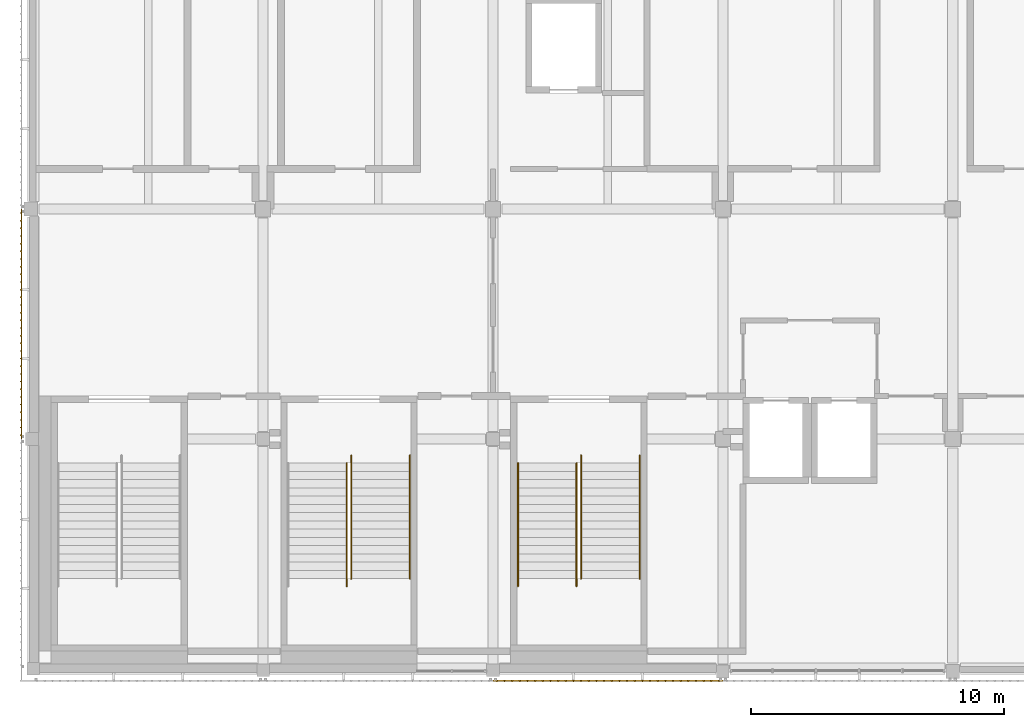
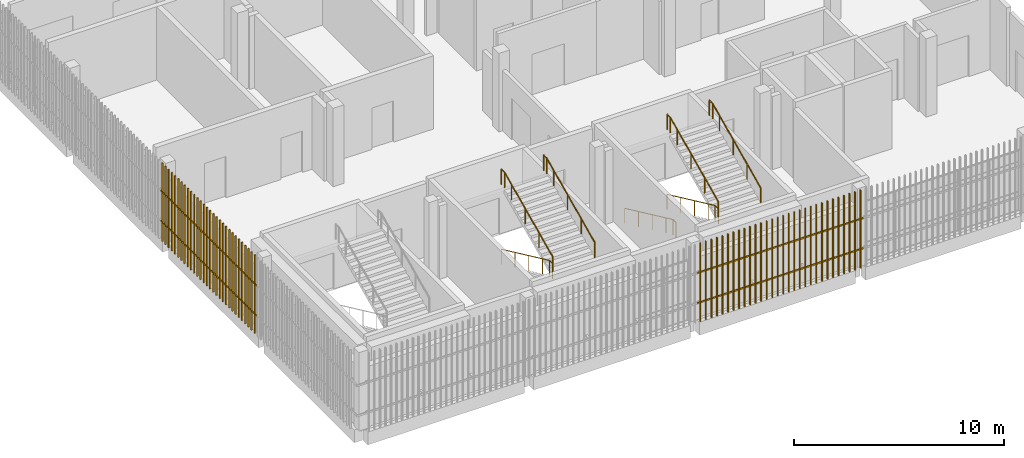
# One storey, part 104 of 124: 7 railings, 2 shading devices.
"""IFC4 building model written with IfcOpenShell, lengths in metres."""

import ifcopenshell
import ifcopenshell.guid

model = None  # the IFC model being written
_history = None  # IfcOwnerHistory: only IFC2X3 demands one
_inside = {}  # id of a spatial element -> (the spatial element, [elements in it])
_under = {}  # id of a project, library or spatial element -> (it, [spatial elements below it])
_declared = {}  # id of a project -> (the project, [libraries it declares])
_typed = {}  # id of a type object -> (the type object, [elements of that type])
_made_of = {}  # id of a material, layer set ... -> (it, [elements and type objects made of it])


def new_model(schema):
    """Start an empty IFC model of exactly this schema.

    Asked for "IFC4X3", IfcOpenShell would pick the latest addendum, in which some entities
    have other attributes; the version numbers below select the first issue.
    IFC2X3 requires an IfcOwnerHistory on every rooted entity: one is made here for all.
    """
    global model, _history
    if schema == "IFC4X3":
        model = ifcopenshell.file(schema_version=(4, 3, 0, 0))
    else:
        model = ifcopenshell.file(schema=schema)
    _inside.clear()
    _under.clear()
    _declared.clear()
    _typed.clear()
    _made_of.clear()
    _history = None
    if model.schema == "IFC2X3":
        org = make("IfcOrganization", Name="unknown")
        user = make(
            "IfcPersonAndOrganization",
            ThePerson=make("IfcPerson", FamilyName="unknown"),
            TheOrganization=org,
        )
        app = make(
            "IfcApplication",
            ApplicationDeveloper=org,
            Version="unknown",
            ApplicationFullName="unknown",
            ApplicationIdentifier="unknown",
        )
        _history = make(
            "IfcOwnerHistory",
            OwningUser=user,
            OwningApplication=app,
            ChangeAction="ADDED",
            CreationDate=0,
        )
    return model


def make(cls, **values):
    """One entity of the class cls with the attributes given. An attribute that is None is left unset."""
    return model.create_entity(
        cls, **{name: value for name, value in values.items() if value is not None}
    )


def rooted(cls, **values):
    """An entity with a GlobalId (a new one), such as an element, a storey or a relation."""
    return make(cls, GlobalId=ifcopenshell.guid.new(), OwnerHistory=_history, **values)


def si_unit(unit_type, name, prefix=None):
    """IfcSIUnit, for example si_unit("LENGTHUNIT", "METRE", prefix="MILLI")."""
    return make("IfcSIUnit", UnitType=unit_type, Prefix=prefix, Name=name)


def assignment(units):
    """IfcUnitAssignment: the units of a project."""
    return None if units is None else make("IfcUnitAssignment", Units=units)


def point(xyz):
    """IfcCartesianPoint."""
    return None if xyz is None else make("IfcCartesianPoint", Coordinates=xyz)


def direction(xyz):
    """IfcDirection."""
    return None if xyz is None else make("IfcDirection", DirectionRatios=xyz)


def frame(location, z_axis=None, x_axis=None):
    """IfcAxis2Placement3D, a coordinate frame: its origin and axes. An axis left out is left unset."""
    return make(
        "IfcAxis2Placement3D",
        Location=point(location),
        Axis=direction(z_axis),
        RefDirection=direction(x_axis),
    )


def frame_2d(location, x_axis=None):
    """IfcAxis2Placement2D, a coordinate frame in the plane: its origin and x axis."""
    return make(
        "IfcAxis2Placement2D", Location=point(location), RefDirection=direction(x_axis)
    )


def origin():
    """The frame at (0, 0, 0) with its axes left unset."""
    return frame((0.0, 0.0, 0.0))


def origin_2d():
    """The frame at (0, 0) in the plane with its x axis left unset."""
    return frame_2d((0.0, 0.0))


def place(relative_to, where):
    """IfcLocalPlacement: puts the frame where relative to a parent placement (None: the world)."""
    return make(
        "IfcLocalPlacement", PlacementRelTo=relative_to, RelativePlacement=where
    )


def context(
    kind, dimensions, precision=None, world=None, true_north=None, identifier=None
):
    """IfcGeometricRepresentationContext, for example the 3D "Model" context."""
    return make(
        "IfcGeometricRepresentationContext",
        ContextIdentifier=identifier,
        ContextType=kind,
        CoordinateSpaceDimension=dimensions,
        Precision=precision,
        WorldCoordinateSystem=world,
        TrueNorth=true_north,
    )


def subcontext(parent, identifier, kind, view, scale=None):
    """IfcGeometricRepresentationSubContext, for example "Body" below "Model"."""
    return make(
        "IfcGeometricRepresentationSubContext",
        ContextIdentifier=identifier,
        ContextType=kind,
        ParentContext=parent,
        TargetScale=scale,
        TargetView=view,
    )


def project(units=None, contexts=None):
    """IfcProject with its units and contexts."""
    return rooted(
        "IfcProject",
        Name="project",
        RepresentationContexts=contexts,
        UnitsInContext=assignment(units),
    )


def spatial(cls, under=None, at=None, **own):
    """A site, building, storey or space (cls), placed at a placement, below another one or the project."""
    s = rooted(cls, ObjectPlacement=at, **own)
    if under is not None:
        _under.setdefault(under.id(), (under, []))[1].append(s)
    return s


def profile(cls, at=None, kind="AREA", **sizes):
    """A parametric profile (cls). Its sizes go by their IFC names, for example OverallWidth=200.0."""
    return make(cls, ProfileType=kind, Position=at, **sizes)


def rectangle(**sizes):
    """IfcRectangleProfileDef."""
    return profile("IfcRectangleProfileDef", **sizes)


def circle(**sizes):
    """IfcCircleProfileDef."""
    return profile("IfcCircleProfileDef", **sizes)


def extrude(swept, where, along, depth):
    """IfcExtrudedAreaSolid: the profile swept, set in the frame where, extruded along a direction by depth."""
    return make(
        "IfcExtrudedAreaSolid",
        SweptArea=swept,
        Position=where,
        ExtrudedDirection=direction(along),
        Depth=depth,
    )


def shape(context_of_items, identifier, shape_type, items):
    """IfcShapeRepresentation: the items that make up one representation, for example the "Body"."""
    return make(
        "IfcShapeRepresentation",
        ContextOfItems=context_of_items,
        RepresentationIdentifier=identifier,
        RepresentationType=shape_type,
        Items=items,
    )


def material(Name=None, Category=None):
    """IfcMaterial."""
    return make("IfcMaterial", Name=Name, Category=Category)


def made_of(thing, what):
    """Note that an element or type object is made of a material, layer set ...; save() writes the relation."""
    if what is not None:
        _made_of.setdefault(what.id(), (what, []))[1].append(thing)
    return thing


def type_object(cls, material=None, **own):
    """A type object (cls), such as IfcWallType, which elements share."""
    return made_of(rooted(cls, **own), material)


def element(
    cls,
    number,
    at=None,
    inside=None,
    cuts=None,
    type_object=None,
    material=None,
    context=None,
    identifier="Body",
    shape_type=None,
    held_by="IfcProductDefinitionShape",
    body=None,
    shapes=None,
    **own,
):
    """One element of the class cls, such as IfcWall. Its Tag is "e" and its number.

    at: its placement. inside: the storey or other place that contains it. cuts: it is an
    opening in that element (IfcRelVoidsElement). A single representation is given by context,
    identifier, shape_type and body (its items); several are given by shapes. held_by: the class
    of the entity that holds the representations. save() writes the other relations.
    """
    e = rooted(cls, Tag="e%d" % number, ObjectPlacement=at, **own)
    if body is not None:
        shapes = [shape(context, identifier, shape_type, body)]
    if shapes is not None:
        e.Representation = make(held_by, Representations=shapes)
    if inside is not None:
        _inside.setdefault(inside.id(), (inside, []))[1].append(e)
    if cuts is not None:
        rooted(
            "IfcRelVoidsElement", RelatingBuildingElement=cuts, RelatedOpeningElement=e
        )
    if type_object is not None:
        _typed.setdefault(type_object.id(), (type_object, []))[1].append(e)
    return made_of(e, material)


def aggregate(whole, parts):
    """IfcRelAggregates: a whole, such as a stair, and the parts it consists of."""
    return rooted("IfcRelAggregates", RelatingObject=whole, RelatedObjects=parts)


def save(model, path):
    """Write the relations noted so far, then the file.

    IfcRelAggregates (storeys below a building ...), IfcRelContainedInSpatialStructure (elements
    in a storey), IfcRelDefinesByType, IfcRelAssociatesMaterial and IfcRelDeclares: one each for
    every whole, place, type object, material and project.
    """
    for whole, parts in _under.values():
        aggregate(whole, parts)
    for where, things in _inside.values():
        rooted(
            "IfcRelContainedInSpatialStructure",
            RelatedElements=things,
            RelatingStructure=where,
        )
    for kind, things in _typed.values():
        rooted("IfcRelDefinesByType", RelatedObjects=things, RelatingType=kind)
    for what, things in _made_of.values():
        rooted("IfcRelAssociatesMaterial", RelatedObjects=things, RelatingMaterial=what)
    for by, libraries in _declared.values():
        rooted("IfcRelDeclares", RelatingContext=by, RelatedDefinitions=libraries)
    model.write(path)


model = new_model("IFC4")

# Units and contexts
model_context = context("Model", 3, precision=1e-05, world=origin(), true_north=direction((0.0, 1.0)))
body_context = subcontext(model_context, "Body", "Model", "MODEL_VIEW")
ifc_project = project(units=[si_unit("LENGTHUNIT", "METRE"), si_unit("AREAUNIT", "SQUARE_METRE"), si_unit("VOLUMEUNIT", "CUBIC_METRE"), si_unit("PLANEANGLEUNIT", "RADIAN"), si_unit("MASSUNIT", "GRAM", prefix="KILO")], contexts=[model_context])

# Site, building, storey
site_placement = place(None, origin())
site = spatial("IfcSite", under=ifc_project, at=site_placement, CompositionType="ELEMENT")
building_placement = place(site_placement, origin())
building = spatial("IfcBuilding", under=site, at=building_placement, Name="Shirokan Park Arena", CompositionType="ELEMENT")
storey_placement = place(building_placement, frame((0.0, 0.0, 20.02001953125)))
storey = spatial("IfcBuildingStorey", under=building, at=storey_placement, Name="L04", CompositionType="ELEMENT", Elevation=20.02001953125)

# Railings
ifc_material_1 = material(Name="Stainless steel", Category="steel")
railing_type = type_object("IfcRailingType", Name="Stair handrail 900", PredefinedType="HANDRAIL", material=ifc_material_1)
railing_1_placement = place(storey_placement, frame((12.409912109375, 8.14990234375, 0.151611328125)))
element("IfcRailing", 1, at=railing_1_placement, inside=storey, type_object=railing_type, Name="Handrail Exit Stair 1.B L04 to L05", PredefinedType="HANDRAIL", context=body_context, shape_type="SweptSolid", body=[
    extrude(circle(Radius=0.02392578125, at=origin_2d()), frame((0.0, 0.0, 0.8759765625), z_axis=(0.0, -0.906999720516, 0.421131222998), x_axis=(1.0, 0.0, 0.0)), (0.0, 0.0, 1.0), 1.440673828125),
    extrude(circle(Radius=0.02392578125, at=origin_2d()), frame((0.0, -1.306640625, 1.482421875), z_axis=(0.0, -0.907029769225, 0.421066500378), x_axis=(1.0, 0.0, 0.0)), (0.0, 0.0, 1.0), 1.44091796875),
    extrude(circle(Radius=0.02392578125, at=origin_2d()), frame((0.0, -2.613525390625, 2.08935546875), z_axis=(0.0, -0.907029769225, 0.421066500378), x_axis=(1.0, 0.0, 0.0)), (0.0, 0.0, 1.0), 1.44091796875),
    extrude(circle(Radius=0.02392578125, at=origin_2d()), frame((0.0, -3.92041015625, 2.69580078125), z_axis=(0.0, -0.907064445915, 0.420991794405), x_axis=(1.0, 0.0, 0.0)), (0.0, 0.0, 1.0), 0.72021484375),
    extrude(circle(Radius=0.02392578125, at=origin_2d()), frame((0.0, -4.57373046875, 2.9990234375), z_axis=(0.0, -1.0, 0.0), x_axis=(1.0, 0.0, 0.0)), (0.0, 0.0, 1.0), 0.300048828125),
    extrude(circle(Radius=0.02099609375, at=origin_2d()), origin(), (0.0, 0.0, 1.0), 0.851806640625),
    extrude(circle(Radius=0.02099609375, at=origin_2d()), frame((0.0, -1.306640625, 0.606689453125)), (0.0, 0.0, 1.0), 0.851806640625),
    extrude(circle(Radius=0.02099609375, at=origin_2d()), frame((0.0, -2.613525390625, 1.21337890625)), (0.0, 0.0, 1.0), 0.851806640625),
    extrude(circle(Radius=0.02099609375, at=origin_2d()), frame((0.0, -3.92041015625, 1.820068359375)), (0.0, 0.0, 1.0), 0.851806640625),
    extrude(circle(Radius=0.02099609375, at=origin_2d()), frame((0.0, -4.57373046875, 2.123291015625)), (0.0, 0.0, 1.0), 0.851806640625),
    extrude(circle(Radius=0.02099609375, at=origin_2d()), frame((0.0, -4.873779296875, 2.123291015625)), (0.0, 0.0, 1.0), 0.851806640625),
])
railing_2_placement = place(storey_placement, frame((12.590087890625, 3.576171875, 2.4267578125)))
element("IfcRailing", 2, at=railing_2_placement, inside=storey, type_object=railing_type, Name="Handrail Exit Stair 1.B L04 to L05", PredefinedType="HANDRAIL", context=body_context, shape_type="SweptSolid", body=[
    extrude(circle(Radius=0.02392578125, at=origin_2d()), frame((0.0, 0.0, 0.8759765625), z_axis=(0.0, 0.907094476872, 0.420927083981), x_axis=(-1.0, 0.0, 0.0)), (0.0, 0.0, 1.0), 1.440673828125),
    extrude(circle(Radius=0.02392578125, at=origin_2d()), frame((0.0, 1.306884765625, 1.482421875), z_axis=(0.0, 0.906999720516, 0.421131222998), x_axis=(-1.0, 0.0, 0.0)), (0.0, 0.0, 1.0), 1.440673828125),
    extrude(circle(Radius=0.02392578125, at=origin_2d()), frame((0.0, 2.613525390625, 2.0888671875), z_axis=(0.0, 0.907029769225, 0.421066500378), x_axis=(-1.0, 0.0, 0.0)), (0.0, 0.0, 1.0), 1.44091796875),
    extrude(circle(Radius=0.02392578125, at=origin_2d()), frame((0.0, 3.92041015625, 2.69580078125), z_axis=(0.0, 0.906934982928, 0.421270621741), x_axis=(-1.0, 0.0, 0.0)), (0.0, 0.0, 1.0), 0.720458984375),
    extrude(circle(Radius=0.02392578125, at=origin_2d()), frame((0.0, 4.57373046875, 2.9990234375), z_axis=(0.0, 1.0, 0.0), x_axis=(-1.0, 0.0, 0.0)), (0.0, 0.0, 1.0), 0.300048828125),
    extrude(circle(Radius=0.02099609375, at=origin_2d()), origin(), (0.0, 0.0, 1.0), 0.851806640625),
    extrude(circle(Radius=0.02099609375, at=origin_2d()), frame((0.0, 1.306884765625, 0.6064453125)), (0.0, 0.0, 1.0), 0.851806640625),
    extrude(circle(Radius=0.02099609375, at=origin_2d()), frame((0.0, 2.613525390625, 1.213134765625)), (0.0, 0.0, 1.0), 0.851806640625),
    extrude(circle(Radius=0.02099609375, at=origin_2d()), frame((0.0, 3.92041015625, 1.81982421875)), (0.0, 0.0, 1.0), 0.851806640625),
    extrude(circle(Radius=0.02099609375, at=origin_2d()), frame((0.0, 4.57373046875, 2.123291015625)), (0.0, 0.0, 1.0), 0.851806640625),
    extrude(circle(Radius=0.02099609375, at=origin_2d()), frame((0.0, 4.873779296875, 2.123291015625)), (0.0, 0.0, 1.0), 0.851806640625),
])
railing_3_placement = place(storey_placement, frame((14.909912109375, 3.576171875, 2.4267578125)))
element("IfcRailing", 3, at=railing_3_placement, inside=storey, type_object=railing_type, Name="Handrail Exit Stair 1.B L04 to L05", PredefinedType="HANDRAIL", context=body_context, shape_type="SweptSolid", body=[
    extrude(circle(Radius=0.02392578125, at=origin_2d()), frame((0.0, 0.0, 0.8759765625), z_axis=(0.0, 0.907094476872, 0.420927083981), x_axis=(-1.0, 0.0, 0.0)), (0.0, 0.0, 1.0), 1.440673828125),
    extrude(circle(Radius=0.02392578125, at=origin_2d()), frame((0.0, 1.306884765625, 1.482421875), z_axis=(0.0, 0.906999720516, 0.421131222998), x_axis=(-1.0, 0.0, 0.0)), (0.0, 0.0, 1.0), 1.440673828125),
    extrude(circle(Radius=0.02392578125, at=origin_2d()), frame((0.0, 2.613525390625, 2.0888671875), z_axis=(0.0, 0.907029769225, 0.421066500378), x_axis=(-1.0, 0.0, 0.0)), (0.0, 0.0, 1.0), 1.44091796875),
    extrude(circle(Radius=0.02392578125, at=origin_2d()), frame((0.0, 3.92041015625, 2.69580078125), z_axis=(0.0, 0.906934982928, 0.421270621741), x_axis=(-1.0, 0.0, 0.0)), (0.0, 0.0, 1.0), 0.720458984375),
    extrude(circle(Radius=0.02392578125, at=origin_2d()), frame((0.0, 4.57373046875, 2.9990234375), z_axis=(0.0, 1.0, 0.0), x_axis=(-1.0, 0.0, 0.0)), (0.0, 0.0, 1.0), 0.300048828125),
    extrude(circle(Radius=0.02099609375, at=origin_2d()), origin(), (0.0, 0.0, 1.0), 0.851806640625),
    extrude(circle(Radius=0.02099609375, at=origin_2d()), frame((0.0, 1.306884765625, 0.6064453125)), (0.0, 0.0, 1.0), 0.851806640625),
    extrude(circle(Radius=0.02099609375, at=origin_2d()), frame((0.0, 2.613525390625, 1.213134765625)), (0.0, 0.0, 1.0), 0.851806640625),
    extrude(circle(Radius=0.02099609375, at=origin_2d()), frame((0.0, 3.92041015625, 1.81982421875)), (0.0, 0.0, 1.0), 0.851806640625),
    extrude(circle(Radius=0.02099609375, at=origin_2d()), frame((0.0, 4.57373046875, 2.123291015625)), (0.0, 0.0, 1.0), 0.851806640625),
    extrude(circle(Radius=0.02099609375, at=origin_2d()), frame((0.0, 4.873779296875, 2.123291015625)), (0.0, 0.0, 1.0), 0.851806640625),
])
railing_4_placement = place(storey_placement, frame((19.18994140625, 8.14990234375, 0.151611328125)))
element("IfcRailing", 4, at=railing_4_placement, inside=storey, type_object=railing_type, Name="Handrail Exit Stair 1.C L04 to L05", PredefinedType="HANDRAIL", context=body_context, shape_type="SweptSolid", body=[
    extrude(circle(Radius=0.02392578125, at=origin_2d()), frame((0.0, 0.0, 0.8759765625), z_axis=(0.0, -0.906999720516, 0.421131222998), x_axis=(1.0, 0.0, 0.0)), (0.0, 0.0, 1.0), 1.440673828125),
    extrude(circle(Radius=0.02392578125, at=origin_2d()), frame((0.0, -1.306640625, 1.482421875), z_axis=(0.0, -0.907029769225, 0.421066500378), x_axis=(1.0, 0.0, 0.0)), (0.0, 0.0, 1.0), 1.44091796875),
    extrude(circle(Radius=0.02392578125, at=origin_2d()), frame((0.0, -2.613525390625, 2.08935546875), z_axis=(0.0, -0.907029769225, 0.421066500378), x_axis=(1.0, 0.0, 0.0)), (0.0, 0.0, 1.0), 1.44091796875),
    extrude(circle(Radius=0.02392578125, at=origin_2d()), frame((0.0, -3.92041015625, 2.69580078125), z_axis=(0.0, -0.907064445915, 0.420991794405), x_axis=(1.0, 0.0, 0.0)), (0.0, 0.0, 1.0), 0.72021484375),
    extrude(circle(Radius=0.02392578125, at=origin_2d()), frame((0.0, -4.57373046875, 2.9990234375), z_axis=(0.0, -1.0, 0.0), x_axis=(1.0, 0.0, 0.0)), (0.0, 0.0, 1.0), 0.300048828125),
    extrude(circle(Radius=0.02099609375, at=origin_2d()), origin(), (0.0, 0.0, 1.0), 0.851806640625),
    extrude(circle(Radius=0.02099609375, at=origin_2d()), frame((0.0, -1.306640625, 0.606689453125)), (0.0, 0.0, 1.0), 0.851806640625),
    extrude(circle(Radius=0.02099609375, at=origin_2d()), frame((0.0, -2.613525390625, 1.21337890625)), (0.0, 0.0, 1.0), 0.851806640625),
    extrude(circle(Radius=0.02099609375, at=origin_2d()), frame((0.0, -3.92041015625, 1.820068359375)), (0.0, 0.0, 1.0), 0.851806640625),
    extrude(circle(Radius=0.02099609375, at=origin_2d()), frame((0.0, -4.57373046875, 2.123291015625)), (0.0, 0.0, 1.0), 0.851806640625),
    extrude(circle(Radius=0.02099609375, at=origin_2d()), frame((0.0, -4.873779296875, 2.123291015625)), (0.0, 0.0, 1.0), 0.851806640625),
])
railing_5_placement = place(storey_placement, frame((21.510009765625, 8.14990234375, 0.151611328125)))
element("IfcRailing", 5, at=railing_5_placement, inside=storey, type_object=railing_type, Name="Handrail Exit Stair 1.C L04 to L05", PredefinedType="HANDRAIL", context=body_context, shape_type="SweptSolid", body=[
    extrude(circle(Radius=0.02392578125, at=origin_2d()), frame((0.0, 0.0, 0.8759765625), z_axis=(0.0, -0.906999720516, 0.421131222998), x_axis=(1.0, 0.0, 0.0)), (0.0, 0.0, 1.0), 1.440673828125),
    extrude(circle(Radius=0.02392578125, at=origin_2d()), frame((0.0, -1.306640625, 1.482421875), z_axis=(0.0, -0.907029769225, 0.421066500378), x_axis=(1.0, 0.0, 0.0)), (0.0, 0.0, 1.0), 1.44091796875),
    extrude(circle(Radius=0.02392578125, at=origin_2d()), frame((0.0, -2.613525390625, 2.08935546875), z_axis=(0.0, -0.907029769225, 0.421066500378), x_axis=(1.0, 0.0, 0.0)), (0.0, 0.0, 1.0), 1.44091796875),
    extrude(circle(Radius=0.02392578125, at=origin_2d()), frame((0.0, -3.92041015625, 2.69580078125), z_axis=(0.0, -0.907064445915, 0.420991794405), x_axis=(1.0, 0.0, 0.0)), (0.0, 0.0, 1.0), 0.72021484375),
    extrude(circle(Radius=0.02392578125, at=origin_2d()), frame((0.0, -4.57373046875, 2.9990234375), z_axis=(0.0, -1.0, 0.0), x_axis=(1.0, 0.0, 0.0)), (0.0, 0.0, 1.0), 0.300048828125),
    extrude(circle(Radius=0.02099609375, at=origin_2d()), origin(), (0.0, 0.0, 1.0), 0.851806640625),
    extrude(circle(Radius=0.02099609375, at=origin_2d()), frame((0.0, -1.306640625, 0.606689453125)), (0.0, 0.0, 1.0), 0.851806640625),
    extrude(circle(Radius=0.02099609375, at=origin_2d()), frame((0.0, -2.613525390625, 1.21337890625)), (0.0, 0.0, 1.0), 0.851806640625),
    extrude(circle(Radius=0.02099609375, at=origin_2d()), frame((0.0, -3.92041015625, 1.820068359375)), (0.0, 0.0, 1.0), 0.851806640625),
    extrude(circle(Radius=0.02099609375, at=origin_2d()), frame((0.0, -4.57373046875, 2.123291015625)), (0.0, 0.0, 1.0), 0.851806640625),
    extrude(circle(Radius=0.02099609375, at=origin_2d()), frame((0.0, -4.873779296875, 2.123291015625)), (0.0, 0.0, 1.0), 0.851806640625),
])
railing_6_placement = place(storey_placement, frame((21.68994140625, 3.576171875, 2.4267578125)))
element("IfcRailing", 6, at=railing_6_placement, inside=storey, type_object=railing_type, Name="Handrail Exit Stair 1.C L04 to L05", PredefinedType="HANDRAIL", context=body_context, shape_type="SweptSolid", body=[
    extrude(circle(Radius=0.02392578125, at=origin_2d()), frame((0.0, 0.0, 0.8759765625), z_axis=(0.0, 0.907094476872, 0.420927083981), x_axis=(-1.0, 0.0, 0.0)), (0.0, 0.0, 1.0), 1.440673828125),
    extrude(circle(Radius=0.02392578125, at=origin_2d()), frame((0.0, 1.306884765625, 1.482421875), z_axis=(0.0, 0.906999720516, 0.421131222998), x_axis=(-1.0, 0.0, 0.0)), (0.0, 0.0, 1.0), 1.440673828125),
    extrude(circle(Radius=0.02392578125, at=origin_2d()), frame((0.0, 2.613525390625, 2.0888671875), z_axis=(0.0, 0.907029769225, 0.421066500378), x_axis=(-1.0, 0.0, 0.0)), (0.0, 0.0, 1.0), 1.44091796875),
    extrude(circle(Radius=0.02392578125, at=origin_2d()), frame((0.0, 3.92041015625, 2.69580078125), z_axis=(0.0, 0.906934982928, 0.421270621741), x_axis=(-1.0, 0.0, 0.0)), (0.0, 0.0, 1.0), 0.720458984375),
    extrude(circle(Radius=0.02392578125, at=origin_2d()), frame((0.0, 4.57373046875, 2.9990234375), z_axis=(0.0, 1.0, 0.0), x_axis=(-1.0, 0.0, 0.0)), (0.0, 0.0, 1.0), 0.300048828125),
    extrude(circle(Radius=0.02099609375, at=origin_2d()), origin(), (0.0, 0.0, 1.0), 0.851806640625),
    extrude(circle(Radius=0.02099609375, at=origin_2d()), frame((0.0, 1.306884765625, 0.6064453125)), (0.0, 0.0, 1.0), 0.851806640625),
    extrude(circle(Radius=0.02099609375, at=origin_2d()), frame((0.0, 2.613525390625, 1.213134765625)), (0.0, 0.0, 1.0), 0.851806640625),
    extrude(circle(Radius=0.02099609375, at=origin_2d()), frame((0.0, 3.92041015625, 1.81982421875)), (0.0, 0.0, 1.0), 0.851806640625),
    extrude(circle(Radius=0.02099609375, at=origin_2d()), frame((0.0, 4.57373046875, 2.123291015625)), (0.0, 0.0, 1.0), 0.851806640625),
    extrude(circle(Radius=0.02099609375, at=origin_2d()), frame((0.0, 4.873779296875, 2.123291015625)), (0.0, 0.0, 1.0), 0.851806640625),
])
railing_7_placement = place(storey_placement, frame((24.010009765625, 3.576171875, 2.4267578125)))
element("IfcRailing", 7, at=railing_7_placement, inside=storey, type_object=railing_type, Name="Handrail Exit Stair 1.C L04 to L05", PredefinedType="HANDRAIL", context=body_context, shape_type="SweptSolid", body=[
    extrude(circle(Radius=0.02392578125, at=origin_2d()), frame((0.0, 0.0, 0.8759765625), z_axis=(0.0, 0.907094476872, 0.420927083981), x_axis=(-1.0, 0.0, 0.0)), (0.0, 0.0, 1.0), 1.440673828125),
    extrude(circle(Radius=0.02392578125, at=origin_2d()), frame((0.0, 1.306884765625, 1.482421875), z_axis=(0.0, 0.906999720516, 0.421131222998), x_axis=(-1.0, 0.0, 0.0)), (0.0, 0.0, 1.0), 1.440673828125),
    extrude(circle(Radius=0.02392578125, at=origin_2d()), frame((0.0, 2.613525390625, 2.0888671875), z_axis=(0.0, 0.907029769225, 0.421066500378), x_axis=(-1.0, 0.0, 0.0)), (0.0, 0.0, 1.0), 1.44091796875),
    extrude(circle(Radius=0.02392578125, at=origin_2d()), frame((0.0, 3.92041015625, 2.69580078125), z_axis=(0.0, 0.906934982928, 0.421270621741), x_axis=(-1.0, 0.0, 0.0)), (0.0, 0.0, 1.0), 0.720458984375),
    extrude(circle(Radius=0.02392578125, at=origin_2d()), frame((0.0, 4.57373046875, 2.9990234375), z_axis=(0.0, 1.0, 0.0), x_axis=(-1.0, 0.0, 0.0)), (0.0, 0.0, 1.0), 0.300048828125),
    extrude(circle(Radius=0.02099609375, at=origin_2d()), origin(), (0.0, 0.0, 1.0), 0.851806640625),
    extrude(circle(Radius=0.02099609375, at=origin_2d()), frame((0.0, 1.306884765625, 0.6064453125)), (0.0, 0.0, 1.0), 0.851806640625),
    extrude(circle(Radius=0.02099609375, at=origin_2d()), frame((0.0, 2.613525390625, 1.213134765625)), (0.0, 0.0, 1.0), 0.851806640625),
    extrude(circle(Radius=0.02099609375, at=origin_2d()), frame((0.0, 3.92041015625, 1.81982421875)), (0.0, 0.0, 1.0), 0.851806640625),
    extrude(circle(Radius=0.02099609375, at=origin_2d()), frame((0.0, 4.57373046875, 2.123291015625)), (0.0, 0.0, 1.0), 0.851806640625),
    extrude(circle(Radius=0.02099609375, at=origin_2d()), frame((0.0, 4.873779296875, 2.123291015625)), (0.0, 0.0, 1.0), 0.851806640625),
])

# Shading devices
ifc_material_2 = material(Name="Timber louvre veil (cedar)", Category="wood")
shading_device_type = type_object("IfcShadingDeviceType", Name="Timber louvre veil panel", PredefinedType="JALOUSIE", material=ifc_material_2)
shading_device_1_placement = place(storey_placement, origin())
element("IfcShadingDevice", 8, at=shading_device_1_placement, inside=storey, type_object=shading_device_type, Name="Timber louvre veil south bay 3 L04", PredefinedType="JALOUSIE", context=body_context, shape_type="SweptSolid", body=[
    extrude(rectangle(XDim=0.050048828125, YDim=0.080078125, at=origin_2d()), frame((18.3515625, -0.485107421875, 0.0), z_axis=(0.0, 0.0, 1.0), x_axis=(1.0, 0.0, 0.0)), (0.0, 0.0, 1.0), 4.550048828125),
    extrude(rectangle(XDim=0.050048828125, YDim=0.080078125, at=origin_2d()), frame((18.655029296875, -0.485107421875, 0.0), z_axis=(0.0, 0.0, 1.0), x_axis=(1.0, 0.0, 0.0)), (0.0, 0.0, 1.0), 4.550048828125),
    extrude(rectangle(XDim=0.050048828125, YDim=0.080078125, at=origin_2d()), frame((18.958251953125, -0.485107421875, 0.0), z_axis=(0.0, 0.0, 1.0), x_axis=(1.0, 0.0, 0.0)), (0.0, 0.0, 1.0), 4.550048828125),
    extrude(rectangle(XDim=0.050048828125, YDim=0.080078125, at=origin_2d()), frame((19.26171875, -0.485107421875, 0.0), z_axis=(0.0, 0.0, 1.0), x_axis=(1.0, 0.0, 0.0)), (0.0, 0.0, 1.0), 4.550048828125),
    extrude(rectangle(XDim=0.050048828125, YDim=0.080078125, at=origin_2d()), frame((19.56494140625, -0.485107421875, 0.0), z_axis=(0.0, 0.0, 1.0), x_axis=(1.0, 0.0, 0.0)), (0.0, 0.0, 1.0), 4.550048828125),
    extrude(rectangle(XDim=0.050048828125, YDim=0.080078125, at=origin_2d()), frame((19.868408203125, -0.485107421875, 0.0), z_axis=(0.0, 0.0, 1.0), x_axis=(1.0, 0.0, 0.0)), (0.0, 0.0, 1.0), 4.550048828125),
    extrude(rectangle(XDim=0.050048828125, YDim=0.080078125, at=origin_2d()), frame((20.171630859375, -0.485107421875, 0.0), z_axis=(0.0, 0.0, 1.0), x_axis=(1.0, 0.0, 0.0)), (0.0, 0.0, 1.0), 4.550048828125),
    extrude(rectangle(XDim=0.050048828125, YDim=0.080078125, at=origin_2d()), frame((20.47509765625, -0.485107421875, 0.0), z_axis=(0.0, 0.0, 1.0), x_axis=(1.0, 0.0, 0.0)), (0.0, 0.0, 1.0), 4.550048828125),
    extrude(rectangle(XDim=0.050048828125, YDim=0.080078125, at=origin_2d()), frame((20.7783203125, -0.485107421875, 0.0), z_axis=(0.0, 0.0, 1.0), x_axis=(1.0, 0.0, 0.0)), (0.0, 0.0, 1.0), 4.550048828125),
    extrude(rectangle(XDim=0.050048828125, YDim=0.080078125, at=origin_2d()), frame((21.081787109375, -0.485107421875, 0.0), z_axis=(0.0, 0.0, 1.0), x_axis=(1.0, 0.0, 0.0)), (0.0, 0.0, 1.0), 4.550048828125),
    extrude(rectangle(XDim=0.050048828125, YDim=0.080078125, at=origin_2d()), frame((21.385009765625, -0.485107421875, 0.0), z_axis=(0.0, 0.0, 1.0), x_axis=(1.0, 0.0, 0.0)), (0.0, 0.0, 1.0), 4.550048828125),
    extrude(rectangle(XDim=0.050048828125, YDim=0.080078125, at=origin_2d()), frame((21.688232421875, -0.485107421875, 0.0), z_axis=(0.0, 0.0, 1.0), x_axis=(1.0, 0.0, 0.0)), (0.0, 0.0, 1.0), 4.550048828125),
    extrude(rectangle(XDim=0.050048828125, YDim=0.080078125, at=origin_2d()), frame((21.99169921875, -0.485107421875, 0.0), z_axis=(0.0, 0.0, 1.0), x_axis=(1.0, 0.0, 0.0)), (0.0, 0.0, 1.0), 4.550048828125),
    extrude(rectangle(XDim=0.050048828125, YDim=0.080078125, at=origin_2d()), frame((22.294921875, -0.485107421875, 0.0), z_axis=(0.0, 0.0, 1.0), x_axis=(1.0, 0.0, 0.0)), (0.0, 0.0, 1.0), 4.550048828125),
    extrude(rectangle(XDim=0.050048828125, YDim=0.080078125, at=origin_2d()), frame((22.598388671875, -0.485107421875, 0.0), z_axis=(0.0, 0.0, 1.0), x_axis=(1.0, 0.0, 0.0)), (0.0, 0.0, 1.0), 4.550048828125),
    extrude(rectangle(XDim=0.050048828125, YDim=0.080078125, at=origin_2d()), frame((22.901611328125, -0.485107421875, 0.0), z_axis=(0.0, 0.0, 1.0), x_axis=(1.0, 0.0, 0.0)), (0.0, 0.0, 1.0), 4.550048828125),
    extrude(rectangle(XDim=0.050048828125, YDim=0.080078125, at=origin_2d()), frame((23.205078125, -0.485107421875, 0.0), z_axis=(0.0, 0.0, 1.0), x_axis=(1.0, 0.0, 0.0)), (0.0, 0.0, 1.0), 4.550048828125),
    extrude(rectangle(XDim=0.050048828125, YDim=0.080078125, at=origin_2d()), frame((23.50830078125, -0.485107421875, 0.0), z_axis=(0.0, 0.0, 1.0), x_axis=(1.0, 0.0, 0.0)), (0.0, 0.0, 1.0), 4.550048828125),
    extrude(rectangle(XDim=0.050048828125, YDim=0.080078125, at=origin_2d()), frame((23.811767578125, -0.485107421875, 0.0), z_axis=(0.0, 0.0, 1.0), x_axis=(1.0, 0.0, 0.0)), (0.0, 0.0, 1.0), 4.550048828125),
    extrude(rectangle(XDim=0.050048828125, YDim=0.080078125, at=origin_2d()), frame((24.114990234375, -0.485107421875, 0.0), z_axis=(0.0, 0.0, 1.0), x_axis=(1.0, 0.0, 0.0)), (0.0, 0.0, 1.0), 4.550048828125),
    extrude(rectangle(XDim=0.050048828125, YDim=0.080078125, at=origin_2d()), frame((24.418212890625, -0.485107421875, 0.0), z_axis=(0.0, 0.0, 1.0), x_axis=(1.0, 0.0, 0.0)), (0.0, 0.0, 1.0), 4.550048828125),
    extrude(rectangle(XDim=0.050048828125, YDim=0.080078125, at=origin_2d()), frame((24.7216796875, -0.485107421875, 0.0), z_axis=(0.0, 0.0, 1.0), x_axis=(1.0, 0.0, 0.0)), (0.0, 0.0, 1.0), 4.550048828125),
    extrude(rectangle(XDim=0.050048828125, YDim=0.080078125, at=origin_2d()), frame((25.02490234375, -0.485107421875, 0.0), z_axis=(0.0, 0.0, 1.0), x_axis=(1.0, 0.0, 0.0)), (0.0, 0.0, 1.0), 4.550048828125),
    extrude(rectangle(XDim=0.050048828125, YDim=0.080078125, at=origin_2d()), frame((25.328369140625, -0.485107421875, 0.0), z_axis=(0.0, 0.0, 1.0), x_axis=(1.0, 0.0, 0.0)), (0.0, 0.0, 1.0), 4.550048828125),
    extrude(rectangle(XDim=0.050048828125, YDim=0.080078125, at=origin_2d()), frame((25.631591796875, -0.485107421875, 0.0), z_axis=(0.0, 0.0, 1.0), x_axis=(1.0, 0.0, 0.0)), (0.0, 0.0, 1.0), 4.550048828125),
    extrude(rectangle(XDim=0.050048828125, YDim=0.080078125, at=origin_2d()), frame((25.93505859375, -0.485107421875, 0.0), z_axis=(0.0, 0.0, 1.0), x_axis=(1.0, 0.0, 0.0)), (0.0, 0.0, 1.0), 4.550048828125),
    extrude(rectangle(XDim=0.050048828125, YDim=0.080078125, at=origin_2d()), frame((26.23828125, -0.485107421875, 0.0), z_axis=(0.0, 0.0, 1.0), x_axis=(1.0, 0.0, 0.0)), (0.0, 0.0, 1.0), 4.550048828125),
    extrude(rectangle(XDim=0.050048828125, YDim=0.080078125, at=origin_2d()), frame((26.541748046875, -0.485107421875, 0.0), z_axis=(0.0, 0.0, 1.0), x_axis=(1.0, 0.0, 0.0)), (0.0, 0.0, 1.0), 4.550048828125),
    extrude(rectangle(XDim=0.050048828125, YDim=0.080078125, at=origin_2d()), frame((26.844970703125, -0.485107421875, 0.0), z_axis=(0.0, 0.0, 1.0), x_axis=(1.0, 0.0, 0.0)), (0.0, 0.0, 1.0), 4.550048828125),
    extrude(rectangle(XDim=0.050048828125, YDim=0.080078125, at=origin_2d()), frame((27.1484375, -0.485107421875, 0.0), z_axis=(0.0, 0.0, 1.0), x_axis=(1.0, 0.0, 0.0)), (0.0, 0.0, 1.0), 4.550048828125),
    extrude(rectangle(XDim=9.10009765625, YDim=0.050048828125, at=origin_2d()), frame((22.75, -0.469970703125, 1.06005859375), z_axis=(0.0, 0.0, 1.0), x_axis=(1.0, 0.0, 0.0)), (0.0, 0.0, 1.0), 0.080078125),
    extrude(rectangle(XDim=9.10009765625, YDim=0.050048828125, at=origin_2d()), frame((22.75, -0.469970703125, 2.81005859375), z_axis=(0.0, 0.0, 1.0), x_axis=(1.0, 0.0, 0.0)), (0.0, 0.0, 1.0), 0.080078125),
])
shading_device_2_placement = place(storey_placement, origin())
element("IfcShadingDevice", 9, at=shading_device_2_placement, inside=storey, type_object=shading_device_type, Name="Timber louvre veil west bay 11 L04", PredefinedType="JALOUSIE", context=body_context, shape_type="SweptSolid", body=[
    extrude(rectangle(XDim=0.050048828125, YDim=0.080078125, at=origin_2d()), frame((-0.485107421875, 18.04833984375, 0.0), z_axis=(0.0, 0.0, 1.0), x_axis=(0.0, -1.0, 0.0)), (0.0, 0.0, 1.0), 4.550048828125),
    extrude(rectangle(XDim=0.050048828125, YDim=0.080078125, at=origin_2d()), frame((-0.485107421875, 17.7451171875, 0.0), z_axis=(0.0, 0.0, 1.0), x_axis=(0.0, -1.0, 0.0)), (0.0, 0.0, 1.0), 4.550048828125),
    extrude(rectangle(XDim=0.050048828125, YDim=0.080078125, at=origin_2d()), frame((-0.485107421875, 17.441650390625, 0.0), z_axis=(0.0, 0.0, 1.0), x_axis=(0.0, -1.0, 0.0)), (0.0, 0.0, 1.0), 4.550048828125),
    extrude(rectangle(XDim=0.050048828125, YDim=0.080078125, at=origin_2d()), frame((-0.485107421875, 17.138427734375, 0.0), z_axis=(0.0, 0.0, 1.0), x_axis=(0.0, -1.0, 0.0)), (0.0, 0.0, 1.0), 4.550048828125),
    extrude(rectangle(XDim=0.050048828125, YDim=0.080078125, at=origin_2d()), frame((-0.485107421875, 16.8349609375, 0.0), z_axis=(0.0, 0.0, 1.0), x_axis=(0.0, -1.0, 0.0)), (0.0, 0.0, 1.0), 4.550048828125),
    extrude(rectangle(XDim=0.050048828125, YDim=0.080078125, at=origin_2d()), frame((-0.485107421875, 16.53173828125, 0.0), z_axis=(0.0, 0.0, 1.0), x_axis=(0.0, -1.0, 0.0)), (0.0, 0.0, 1.0), 4.550048828125),
    extrude(rectangle(XDim=0.050048828125, YDim=0.080078125, at=origin_2d()), frame((-0.485107421875, 16.228271484375, 0.0), z_axis=(0.0, 0.0, 1.0), x_axis=(0.0, -1.0, 0.0)), (0.0, 0.0, 1.0), 4.550048828125),
    extrude(rectangle(XDim=0.050048828125, YDim=0.080078125, at=origin_2d()), frame((-0.485107421875, 15.925048828125, 0.0), z_axis=(0.0, 0.0, 1.0), x_axis=(0.0, -1.0, 0.0)), (0.0, 0.0, 1.0), 4.550048828125),
    extrude(rectangle(XDim=0.050048828125, YDim=0.080078125, at=origin_2d()), frame((-0.485107421875, 15.62158203125, 0.0), z_axis=(0.0, 0.0, 1.0), x_axis=(0.0, -1.0, 0.0)), (0.0, 0.0, 1.0), 4.550048828125),
    extrude(rectangle(XDim=0.050048828125, YDim=0.080078125, at=origin_2d()), frame((-0.485107421875, 15.318359375, 0.0), z_axis=(0.0, 0.0, 1.0), x_axis=(0.0, -1.0, 0.0)), (0.0, 0.0, 1.0), 4.550048828125),
    extrude(rectangle(XDim=0.050048828125, YDim=0.080078125, at=origin_2d()), frame((-0.485107421875, 15.014892578125, 0.0), z_axis=(0.0, 0.0, 1.0), x_axis=(0.0, -1.0, 0.0)), (0.0, 0.0, 1.0), 4.550048828125),
    extrude(rectangle(XDim=0.050048828125, YDim=0.080078125, at=origin_2d()), frame((-0.485107421875, 14.711669921875, 0.0), z_axis=(0.0, 0.0, 1.0), x_axis=(0.0, -1.0, 0.0)), (0.0, 0.0, 1.0), 4.550048828125),
    extrude(rectangle(XDim=0.050048828125, YDim=0.080078125, at=origin_2d()), frame((-0.485107421875, 14.408447265625, 0.0), z_axis=(0.0, 0.0, 1.0), x_axis=(0.0, -1.0, 0.0)), (0.0, 0.0, 1.0), 4.550048828125),
    extrude(rectangle(XDim=0.050048828125, YDim=0.080078125, at=origin_2d()), frame((-0.485107421875, 14.10498046875, 0.0), z_axis=(0.0, 0.0, 1.0), x_axis=(0.0, -1.0, 0.0)), (0.0, 0.0, 1.0), 4.550048828125),
    extrude(rectangle(XDim=0.050048828125, YDim=0.080078125, at=origin_2d()), frame((-0.485107421875, 13.8017578125, 0.0), z_axis=(0.0, 0.0, 1.0), x_axis=(0.0, -1.0, 0.0)), (0.0, 0.0, 1.0), 4.550048828125),
    extrude(rectangle(XDim=0.050048828125, YDim=0.080078125, at=origin_2d()), frame((-0.485107421875, 13.498291015625, 0.0), z_axis=(0.0, 0.0, 1.0), x_axis=(0.0, -1.0, 0.0)), (0.0, 0.0, 1.0), 4.550048828125),
    extrude(rectangle(XDim=0.050048828125, YDim=0.080078125, at=origin_2d()), frame((-0.485107421875, 13.195068359375, 0.0), z_axis=(0.0, 0.0, 1.0), x_axis=(0.0, -1.0, 0.0)), (0.0, 0.0, 1.0), 4.550048828125),
    extrude(rectangle(XDim=0.050048828125, YDim=0.080078125, at=origin_2d()), frame((-0.485107421875, 12.8916015625, 0.0), z_axis=(0.0, 0.0, 1.0), x_axis=(0.0, -1.0, 0.0)), (0.0, 0.0, 1.0), 4.550048828125),
    extrude(rectangle(XDim=0.050048828125, YDim=0.080078125, at=origin_2d()), frame((-0.485107421875, 12.58837890625, 0.0), z_axis=(0.0, 0.0, 1.0), x_axis=(0.0, -1.0, 0.0)), (0.0, 0.0, 1.0), 4.550048828125),
    extrude(rectangle(XDim=0.050048828125, YDim=0.080078125, at=origin_2d()), frame((-0.485107421875, 12.284912109375, 0.0), z_axis=(0.0, 0.0, 1.0), x_axis=(0.0, -1.0, 0.0)), (0.0, 0.0, 1.0), 4.550048828125),
    extrude(rectangle(XDim=0.050048828125, YDim=0.080078125, at=origin_2d()), frame((-0.485107421875, 11.981689453125, 0.0), z_axis=(0.0, 0.0, 1.0), x_axis=(0.0, -1.0, 0.0)), (0.0, 0.0, 1.0), 4.550048828125),
    extrude(rectangle(XDim=0.050048828125, YDim=0.080078125, at=origin_2d()), frame((-0.485107421875, 11.67822265625, 0.0), z_axis=(0.0, 0.0, 1.0), x_axis=(0.0, -1.0, 0.0)), (0.0, 0.0, 1.0), 4.550048828125),
    extrude(rectangle(XDim=0.050048828125, YDim=0.080078125, at=origin_2d()), frame((-0.485107421875, 11.375, 0.0), z_axis=(0.0, 0.0, 1.0), x_axis=(0.0, -1.0, 0.0)), (0.0, 0.0, 1.0), 4.550048828125),
    extrude(rectangle(XDim=0.050048828125, YDim=0.080078125, at=origin_2d()), frame((-0.485107421875, 11.07177734375, 0.0), z_axis=(0.0, 0.0, 1.0), x_axis=(0.0, -1.0, 0.0)), (0.0, 0.0, 1.0), 4.550048828125),
    extrude(rectangle(XDim=0.050048828125, YDim=0.080078125, at=origin_2d()), frame((-0.485107421875, 10.768310546875, 0.0), z_axis=(0.0, 0.0, 1.0), x_axis=(0.0, -1.0, 0.0)), (0.0, 0.0, 1.0), 4.550048828125),
    extrude(rectangle(XDim=0.050048828125, YDim=0.080078125, at=origin_2d()), frame((-0.485107421875, 10.465087890625, 0.0), z_axis=(0.0, 0.0, 1.0), x_axis=(0.0, -1.0, 0.0)), (0.0, 0.0, 1.0), 4.550048828125),
    extrude(rectangle(XDim=0.050048828125, YDim=0.080078125, at=origin_2d()), frame((-0.485107421875, 10.16162109375, 0.0), z_axis=(0.0, 0.0, 1.0), x_axis=(0.0, -1.0, 0.0)), (0.0, 0.0, 1.0), 4.550048828125),
    extrude(rectangle(XDim=0.050048828125, YDim=0.080078125, at=origin_2d()), frame((-0.485107421875, 9.8583984375, 0.0), z_axis=(0.0, 0.0, 1.0), x_axis=(0.0, -1.0, 0.0)), (0.0, 0.0, 1.0), 4.550048828125),
    extrude(rectangle(XDim=0.050048828125, YDim=0.080078125, at=origin_2d()), frame((-0.485107421875, 9.554931640625, 0.0), z_axis=(0.0, 0.0, 1.0), x_axis=(0.0, -1.0, 0.0)), (0.0, 0.0, 1.0), 4.550048828125),
    extrude(rectangle(XDim=0.050048828125, YDim=0.080078125, at=origin_2d()), frame((-0.485107421875, 9.251708984375, 0.0), z_axis=(0.0, 0.0, 1.0), x_axis=(0.0, -1.0, 0.0)), (0.0, 0.0, 1.0), 4.550048828125),
    extrude(rectangle(XDim=9.10009765625, YDim=0.050048828125, at=origin_2d()), frame((-0.469970703125, 13.64990234375, 1.06005859375), z_axis=(0.0, 0.0, 1.0), x_axis=(0.0, -1.0, 0.0)), (0.0, 0.0, 1.0), 0.080078125),
    extrude(rectangle(XDim=9.10009765625, YDim=0.050048828125, at=origin_2d()), frame((-0.469970703125, 13.64990234375, 2.81005859375), z_axis=(0.0, 0.0, 1.0), x_axis=(0.0, -1.0, 0.0)), (0.0, 0.0, 1.0), 0.080078125),
])

save(model, "model.ifc")
